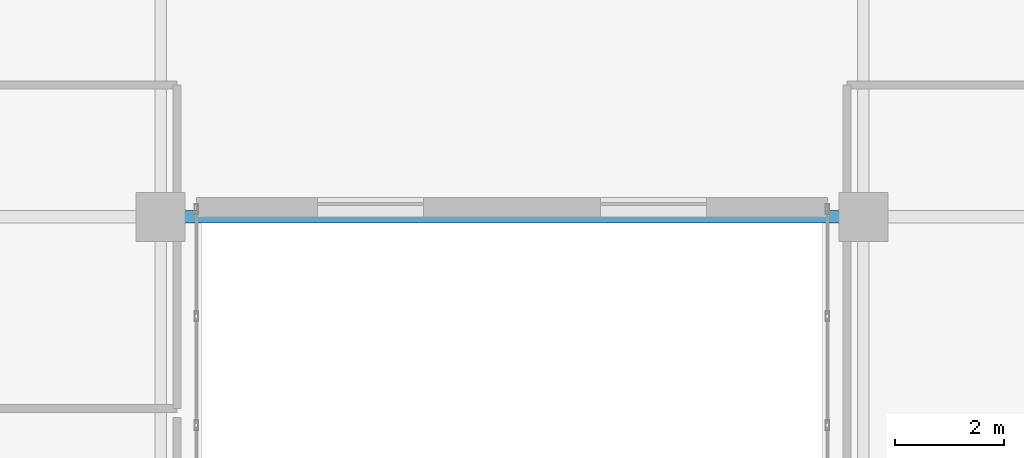
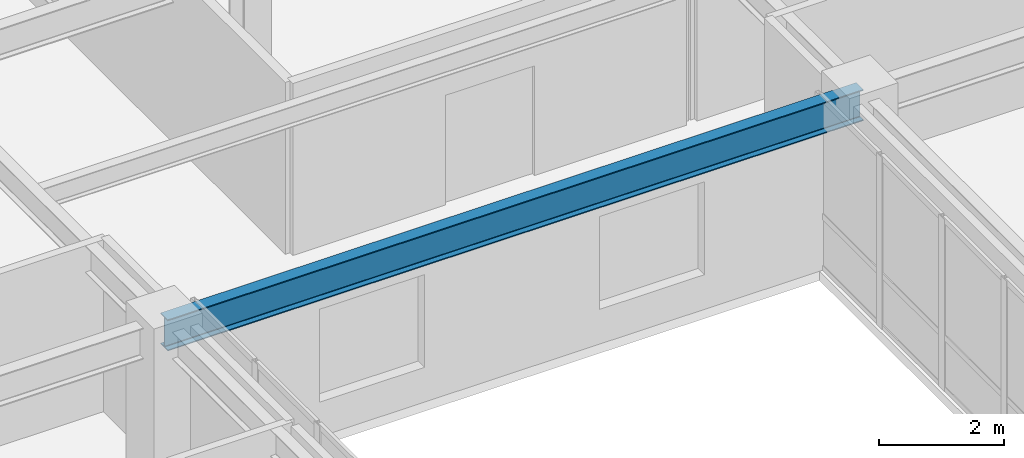
# One storey, part 8 of 30: 1 beam.
"""IFC4 building model written with IfcOpenShell, lengths in metres."""

from ifc_helpers import new_model, si_unit, direction, frame, origin, origin_2d, place, context, subcontext, project, spatial, i_section, extrude, source, transform, mapped, material, material_profile, profile_set, type_object, type_shapes, element, save


model = new_model("IFC4")

# Units and contexts
model_context = context("Model", 3, precision=1e-05, world=origin(), true_north=direction((0.0, 1.0)))
body_context = subcontext(model_context, "Body", "Model", "MODEL_VIEW")
ifc_project = project(units=[si_unit("LENGTHUNIT", "METRE"), si_unit("AREAUNIT", "SQUARE_METRE"), si_unit("VOLUMEUNIT", "CUBIC_METRE"), si_unit("PLANEANGLEUNIT", "RADIAN"), si_unit("MASSUNIT", "GRAM", prefix="KILO")], contexts=[model_context])

# Site, building, storey
site_placement = place(None, origin())
site = spatial("IfcSite", under=ifc_project, at=site_placement, CompositionType="ELEMENT")
building_placement = place(site_placement, origin())
building = spatial("IfcBuilding", under=site, at=building_placement, Name="Tolvann Quenvar Hotel", CompositionType="ELEMENT")
storey_placement = place(building_placement, frame((0.0, 0.0, 100.89990234375)))
storey = spatial("IfcBuildingStorey", under=building, at=storey_placement, Name="L25", CompositionType="ELEMENT", Elevation=100.89990234375)

# Beam
ifc_material = material(Name="Steel Grade 350", Category="steel")
ifc_material_profile = material_profile(ifc_material, i_section(OverallWidth=0.22900390625, OverallDepth=0.612060546875, WebThickness=0.011962890625, FlangeThickness=0.01953125, FilletRadius=0.013916015625, at=origin_2d()), Name="610UB125")
ifc_profile_set = profile_set([ifc_material_profile], Name="Steel Grade 350")
beam_type = type_object("IfcBeamType", Name="BM_GIRD_610UB125", PredefinedType="BEAM", material=ifc_profile_set)
shared_shape = source(origin(), body_context, "Body", "SweptSolid", [
    extrude(i_section(OverallWidth=0.22900390625, OverallDepth=0.612060546875, WebThickness=0.011962890625, FlangeThickness=0.01953125, FilletRadius=0.013916015625, at=origin_2d()), origin(), (0.0, 0.0, 1.0), 12.89990234375),
])
type_shapes(beam_type, [shared_shape])
beam_placement = place(storey_placement, frame((22.050048828125, 16.0, 3.064208984375), z_axis=(1.0, 0.0, 0.0), x_axis=(0.0, 1.0, 0.0)))
element("IfcBeam", 1, at=beam_placement, inside=storey, type_object=beam_type, Name="BM-L25-EW-4-E4-F4", PredefinedType="BEAM", context=body_context, shape_type="MappedRepresentation", body=[
    mapped(shared_shape, transform((0.0, 0.0, 0.0), x_axis=(1.0, 0.0, 0.0), y_axis=(0.0, 1.0, 0.0), z_axis=(0.0, 0.0, 1.0), scale=1.0)),
])

save(model, "model.ifc")
